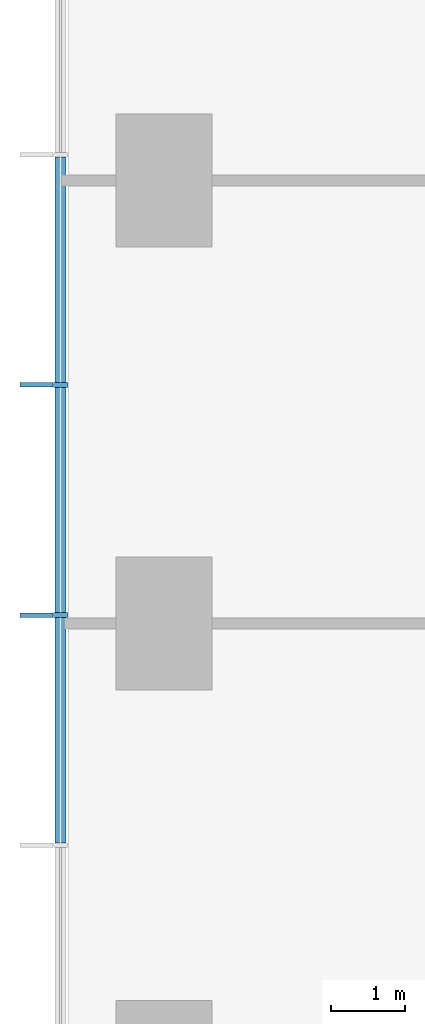
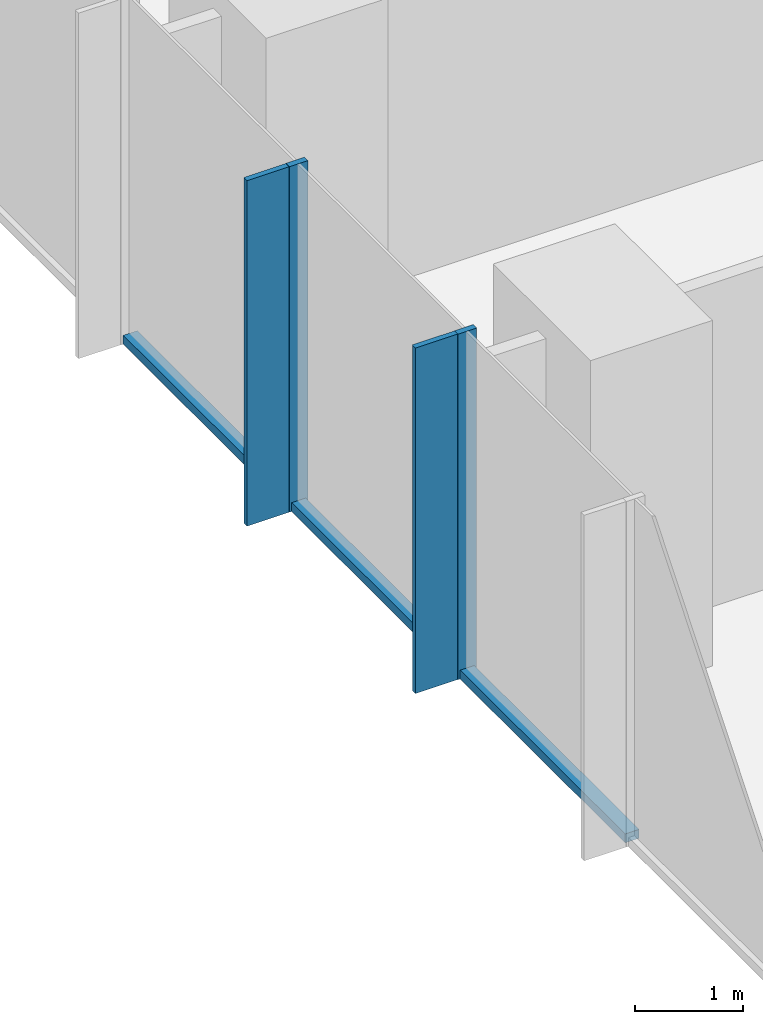
# One storey, part 3 of 11: 7 members, 1 element without a shape of its own.
"""IFC4 building model written with IfcOpenShell, lengths in metres."""

from ifc_helpers import new_model, si_unit, direction, frame, origin, origin_2d, place, context, subcontext, project, spatial, rectangle, extrude, material, layer, layer_set, material_profile, profile_set, type_object, element, aggregate, save


model = new_model("IFC4")

# Units and contexts
model_context = context("Model", 3, precision=1e-05, world=origin(), true_north=direction((0.0, 1.0)))
body_context = subcontext(model_context, "Body", "Model", "MODEL_VIEW")
ifc_project = project(units=[si_unit("LENGTHUNIT", "METRE"), si_unit("AREAUNIT", "SQUARE_METRE"), si_unit("VOLUMEUNIT", "CUBIC_METRE"), si_unit("PLANEANGLEUNIT", "RADIAN"), si_unit("MASSUNIT", "GRAM", prefix="KILO")], contexts=[model_context])

# Site, building, storey
site_placement = place(None, origin())
site = spatial("IfcSite", under=ifc_project, at=site_placement, CompositionType="ELEMENT")
building_placement = place(site_placement, origin())
building = spatial("IfcBuilding", under=site, at=building_placement, Name="Highveld Stack Headquarters", CompositionType="ELEMENT")
storey_placement = place(building_placement, frame((0.0, 0.0, 144.5)))
storey = spatial("IfcBuildingStorey", under=building, at=storey_placement, Name="L35", CompositionType="ELEMENT", Elevation=144.5)

# Curtain wall, members
ifc_material_1 = material(Name="Aluminium bronze anodised", Category="aluminium")
ifc_layer = layer(ifc_material_1, 0.199951171875)
ifc_layer_set = layer_set([ifc_layer], Name="Aluminium bronze anodised")
curtain_wall_type = type_object("IfcCurtainWallType", Name="CW1 TOWER UNITISED CURTAIN WALL", PredefinedType="NOTDEFINED", material=ifc_layer_set)
curtain_wall_placement = place(storey_placement, origin())
curtain_wall = element("IfcCurtainWall", 1, at=curtain_wall_placement, inside=storey, type_object=curtain_wall_type, Name="Curtain wall CW1 L35 W", PredefinedType="NOTDEFINED")
ifc_material_2 = material(Name="Aluminium bronze anodised", Category="aluminium")
ifc_material_profile_1 = material_profile(ifc_material_2, rectangle(XDim=0.449951171875, YDim=0.06005859375, at=origin_2d()), Name="FIN 450x60")
ifc_profile_set_1 = profile_set([ifc_material_profile_1], Name="Aluminium bronze anodised")
member_type_1 = type_object("IfcMemberType", Name="CW1 BRONZE FIN 450x60", PredefinedType="USERDEFINED", material=ifc_profile_set_1)
member_1_placement = place(storey_placement, frame((-19.72509765625, 9.23193359375, 0.0), z_axis=(0.0, 0.0, 1.0), x_axis=(1.0, 0.0, 0.0)))
member_1 = element("IfcMember", 2, at=member_1_placement, type_object=member_type_1, Name="CW1 fin L35 4", ObjectType="FIN", PredefinedType="USERDEFINED", context=body_context, shape_type="SweptSolid", body=[
    extrude(rectangle(XDim=0.449951171875, YDim=0.06005859375, at=origin_2d()), origin(), (0.0, 0.0, 1.0), 3.89990234375),
])
member_2_placement = place(storey_placement, frame((-19.72509765625, 6.115966796875, 0.0), z_axis=(0.0, 0.0, 1.0), x_axis=(1.0, 0.0, 0.0)))
member_2 = element("IfcMember", 3, at=member_2_placement, type_object=member_type_1, Name="CW1 fin L35 5", ObjectType="FIN", PredefinedType="USERDEFINED", context=body_context, shape_type="SweptSolid", body=[
    extrude(rectangle(XDim=0.449951171875, YDim=0.06005859375, at=origin_2d()), origin(), (0.0, 0.0, 1.0), 3.89990234375),
])
ifc_material_3 = material(Name="Aluminium bronze anodised", Category="aluminium")
ifc_material_profile_2 = material_profile(ifc_material_3, rectangle(XDim=0.199951171875, YDim=0.06494140625, at=origin_2d()), Name="CW1 MULLION 65x200")
ifc_profile_set_2 = profile_set([ifc_material_profile_2], Name="Aluminium bronze anodised")
member_type_2 = type_object("IfcMemberType", Name="CW1 MULLION 65x200", PredefinedType="MULLION", material=ifc_profile_set_2)
member_3_placement = place(storey_placement, frame((-19.39990234375, 9.23193359375, 0.0), z_axis=(0.0, 0.0, 1.0), x_axis=(1.0, 0.0, 0.0)))
member_3 = element("IfcMember", 4, at=member_3_placement, type_object=member_type_2, Name="CW1 mullion L35 4", PredefinedType="MULLION", context=body_context, shape_type="SweptSolid", body=[
    extrude(rectangle(XDim=0.199951171875, YDim=0.06494140625, at=origin_2d()), origin(), (0.0, 0.0, 1.0), 3.89990234375),
])
member_4_placement = place(storey_placement, frame((-19.39990234375, 6.115966796875, 0.0), z_axis=(0.0, 0.0, 1.0), x_axis=(1.0, 0.0, 0.0)))
member_4 = element("IfcMember", 5, at=member_4_placement, type_object=member_type_2, Name="CW1 mullion L35 5", PredefinedType="MULLION", context=body_context, shape_type="SweptSolid", body=[
    extrude(rectangle(XDim=0.199951171875, YDim=0.06494140625, at=origin_2d()), origin(), (0.0, 0.0, 1.0), 3.89990234375),
])
ifc_material_4 = material(Name="Aluminium bronze anodised", Category="aluminium")
ifc_material_profile_3 = material_profile(ifc_material_4, rectangle(XDim=0.14990234375, YDim=0.10009765625, at=origin_2d()), Name="CW1 TRANSOM 150x100")
ifc_profile_set_3 = profile_set([ifc_material_profile_3], Name="Aluminium bronze anodised")
member_type_3 = type_object("IfcMemberType", Name="CW1 STACK TRANSOM 150x100", PredefinedType="USERDEFINED", material=ifc_profile_set_3)
member_5_placement = place(storey_placement, frame((-19.39990234375, 12.3154296875, 0.050048828125), z_axis=(0.0, -1.0, 0.0), x_axis=(1.0, 0.0, 0.0)))
member_5 = element("IfcMember", 6, at=member_5_placement, type_object=member_type_3, Name="CW1 transom L35 3.1", ObjectType="TRANSOM", PredefinedType="USERDEFINED", context=body_context, shape_type="SweptSolid", body=[
    extrude(rectangle(XDim=0.14990234375, YDim=0.10009765625, at=origin_2d()), origin(), (0.0, 0.0, 1.0), 3.051025390625),
])
member_6_placement = place(storey_placement, frame((-19.39990234375, 9.199462890625, 0.050048828125), z_axis=(0.0, -1.0, 0.0), x_axis=(1.0, 0.0, 0.0)))
member_6 = element("IfcMember", 7, at=member_6_placement, type_object=member_type_3, Name="CW1 transom L35 4.1", ObjectType="TRANSOM", PredefinedType="USERDEFINED", context=body_context, shape_type="SweptSolid", body=[
    extrude(rectangle(XDim=0.14990234375, YDim=0.10009765625, at=origin_2d()), origin(), (0.0, 0.0, 1.0), 3.051025390625),
])
member_7_placement = place(storey_placement, frame((-19.39990234375, 6.08349609375, 0.050048828125), z_axis=(0.0, -1.0, 0.0), x_axis=(1.0, 0.0, 0.0)))
member_7 = element("IfcMember", 8, at=member_7_placement, type_object=member_type_3, Name="CW1 transom L35 5.1", ObjectType="TRANSOM", PredefinedType="USERDEFINED", context=body_context, shape_type="SweptSolid", body=[
    extrude(rectangle(XDim=0.14990234375, YDim=0.10009765625, at=origin_2d()), origin(), (0.0, 0.0, 1.0), 3.051025390625),
])
aggregate(curtain_wall, [member_3, member_1, member_4, member_2, member_5, member_6, member_7])

save(model, "model.ifc")
